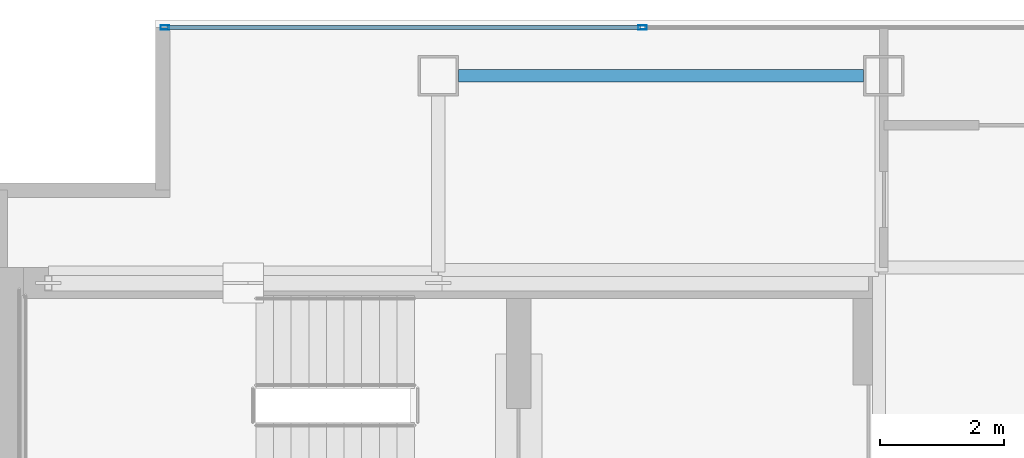
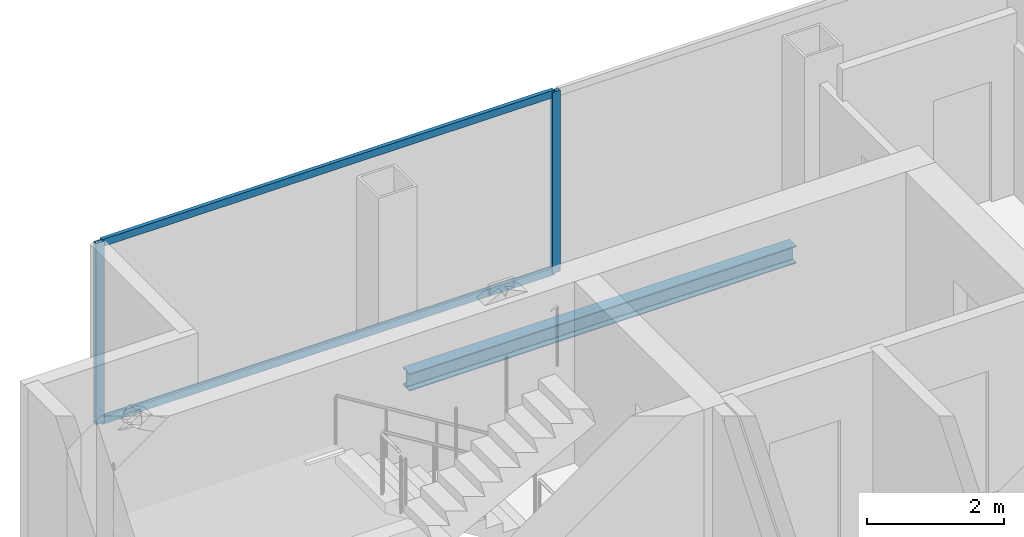
# One storey, part 17 of 23: 4 members, 1 beam, 1 element without a shape of its own.
"""IFC4 building model written with IfcOpenShell, lengths in metres."""

from ifc_helpers import new_model, si_unit, direction, frame, origin, origin_2d, place, context, subcontext, project, spatial, hollow_rectangle, i_section, extrude, material, material_profile, profile_set, type_object, element, aggregate, save


model = new_model("IFC4")

# Units and contexts
model_context = context("Model", 3, precision=1e-05, world=origin(), true_north=direction((0.0, 1.0)))
body_context = subcontext(model_context, "Body", "Model", "MODEL_VIEW")
ifc_project = project(units=[si_unit("LENGTHUNIT", "METRE"), si_unit("AREAUNIT", "SQUARE_METRE"), si_unit("VOLUMEUNIT", "CUBIC_METRE"), si_unit("PLANEANGLEUNIT", "RADIAN"), si_unit("MASSUNIT", "GRAM", prefix="KILO")], contexts=[model_context])

# Site, building, storey
site_placement = place(None, origin())
site = spatial("IfcSite", under=ifc_project, at=site_placement, CompositionType="ELEMENT")
building_placement = place(site_placement, origin())
building = spatial("IfcBuilding", under=site, at=building_placement, Name="Cobrela Telecom Tower", CompositionType="ELEMENT")
storey_placement = place(building_placement, frame((0.0, 0.0, 276.14990234375)))
storey = spatial("IfcBuildingStorey", under=building, at=storey_placement, Name="L72", CompositionType="ELEMENT", Elevation=276.14990234375)

# Beam
ifc_material_1 = material(Name="Steel ASTM A992 Grade 50", Category="steel")
ifc_material_profile_1 = material_profile(ifc_material_1, i_section(OverallWidth=0.205078125, OverallDepth=0.31005859375, WebThickness=0.009521484375, FlangeThickness=0.016357421875, FilletRadius=0.010986328125, at=origin_2d()), Name="W12X50")
ifc_profile_set_1 = profile_set([ifc_material_profile_1], Name="Steel ASTM A992 Grade 50")
beam_type = type_object("IfcBeamType", Name="BM-SPAND-07", PredefinedType="SPANDREL", material=ifc_profile_set_1)
beam_placement = place(storey_placement, frame((7.530029296875, 39.10009765625, -0.414794921875), z_axis=(1.0, 0.0, 0.0), x_axis=(0.0, 1.0, 0.0)))
element("IfcBeam", 1, at=beam_placement, inside=storey, type_object=beam_type, Name="L72 Perimeter Spandrel X19", PredefinedType="SPANDREL", context=body_context, shape_type="SweptSolid", body=[
    extrude(i_section(OverallWidth=0.205078125, OverallDepth=0.31005859375, WebThickness=0.009521484375, FlangeThickness=0.016357421875, FilletRadius=0.010986328125, at=origin_2d()), origin(), (0.0, 0.0, 1.0), 6.5400390625),
])

# Curtain wall, members
ifc_material_2 = material(Name="Anodized Bronze Aluminium 6063-T6", Category="aluminium")
curtain_wall_type = type_object("IfcCurtainWallType", Name="CW-SYS-OFF-HI", PredefinedType="USERDEFINED", material=ifc_material_2)
curtain_wall_placement = place(storey_placement, origin())
curtain_wall = element("IfcCurtainWall", 2, at=curtain_wall_placement, inside=storey, type_object=curtain_wall_type, Name="L72 Unitised Bronze Curtain Wall 05", ObjectType="UNITISED CURTAIN WALL", PredefinedType="USERDEFINED")
ifc_material_profile_2 = material_profile(ifc_material_2, hollow_rectangle(XDim=0.070068359375, YDim=0.139892578125, WallThickness=0.00390625, at=origin_2d()), Name="ALU 70x140x4")
ifc_profile_set_2 = profile_set([ifc_material_profile_2], Name="Anodized Bronze Aluminium 6063-T6")
member_type_1 = type_object("IfcMemberType", Name="CW-SYS-OFF-HI-MUL", PredefinedType="MULLION", material=ifc_profile_set_2)
member_1_placement = place(storey_placement, frame((2.784912109375, 39.8798828125, 0.0), z_axis=(0.0, 0.0, 1.0), x_axis=(0.0, 1.0, 0.0)))
member_1 = element("IfcMember", 3, at=member_1_placement, type_object=member_type_1, Name="CW-OFF-HI mullion 1", PredefinedType="MULLION", context=body_context, shape_type="SweptSolid", body=[
    extrude(hollow_rectangle(XDim=0.070068359375, YDim=0.139892578125, WallThickness=0.00390625, at=origin_2d()), origin(), (0.0, 0.0, 1.0), 3.239990234375),
])
member_2_placement = place(storey_placement, frame((10.5, 39.8798828125, 0.0), z_axis=(0.0, 0.0, 1.0), x_axis=(0.0, 1.0, 0.0)))
member_2 = element("IfcMember", 4, at=member_2_placement, type_object=member_type_1, Name="CW-OFF-HI mullion 2", PredefinedType="MULLION", context=body_context, shape_type="SweptSolid", body=[
    extrude(hollow_rectangle(XDim=0.070068359375, YDim=0.139892578125, WallThickness=0.00390625, at=origin_2d()), origin(), (0.0, 0.0, 1.0), 3.239990234375),
])
ifc_material_profile_3 = material_profile(ifc_material_2, hollow_rectangle(XDim=0.06494140625, YDim=0.1298828125, WallThickness=0.00390625, at=origin_2d()), Name="ALU 65x130x4")
ifc_profile_set_3 = profile_set([ifc_material_profile_3], Name="Anodized Bronze Aluminium 6063-T6")
member_type_2 = type_object("IfcMemberType", Name="CW-SYS-OFF-HI-TRN", PredefinedType="USERDEFINED", material=ifc_profile_set_3)
member_3_placement = place(storey_placement, frame((2.820068359375, 39.8798828125, 0.03271484375), z_axis=(1.0, 0.0, 0.0), x_axis=(0.0, 1.0, 0.0)))
member_3 = element("IfcMember", 5, at=member_3_placement, type_object=member_type_2, Name="CW-OFF-HI transom 1.1", ObjectType="TRANSOM", PredefinedType="USERDEFINED", context=body_context, shape_type="SweptSolid", body=[
    extrude(hollow_rectangle(XDim=0.06494140625, YDim=0.1298828125, WallThickness=0.00390625, at=origin_2d()), origin(), (0.0, 0.0, 1.0), 7.64501953125),
])
member_4_placement = place(storey_placement, frame((2.820068359375, 39.8798828125, 3.20751953125), z_axis=(1.0, 0.0, 0.0), x_axis=(0.0, 1.0, 0.0)))
member_4 = element("IfcMember", 6, at=member_4_placement, type_object=member_type_2, Name="CW-OFF-HI transom 1.2", ObjectType="TRANSOM", PredefinedType="USERDEFINED", context=body_context, shape_type="SweptSolid", body=[
    extrude(hollow_rectangle(XDim=0.06494140625, YDim=0.1298828125, WallThickness=0.00390625, at=origin_2d()), origin(), (0.0, 0.0, 1.0), 7.64501953125),
])
aggregate(curtain_wall, [member_1, member_2, member_3, member_4])

save(model, "model.ifc")
